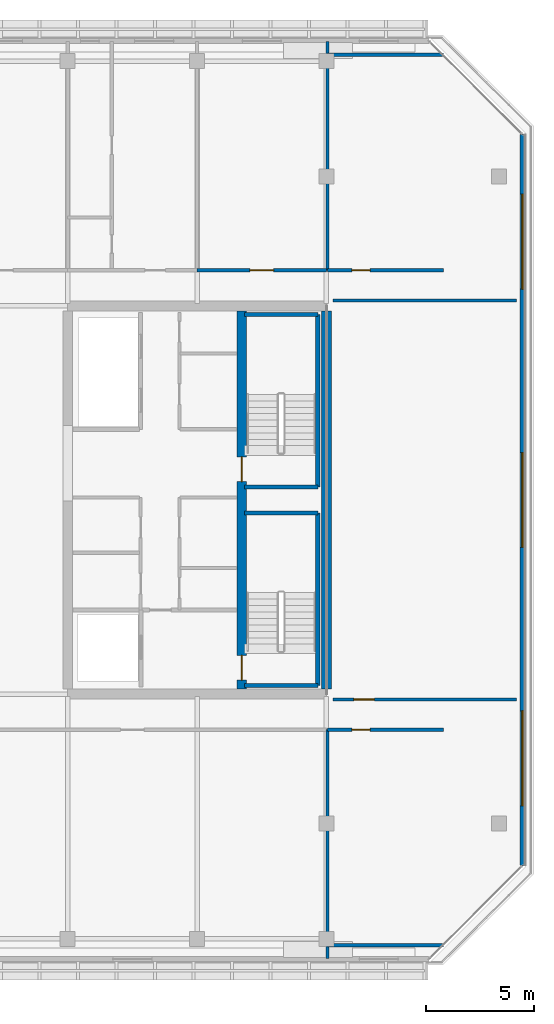
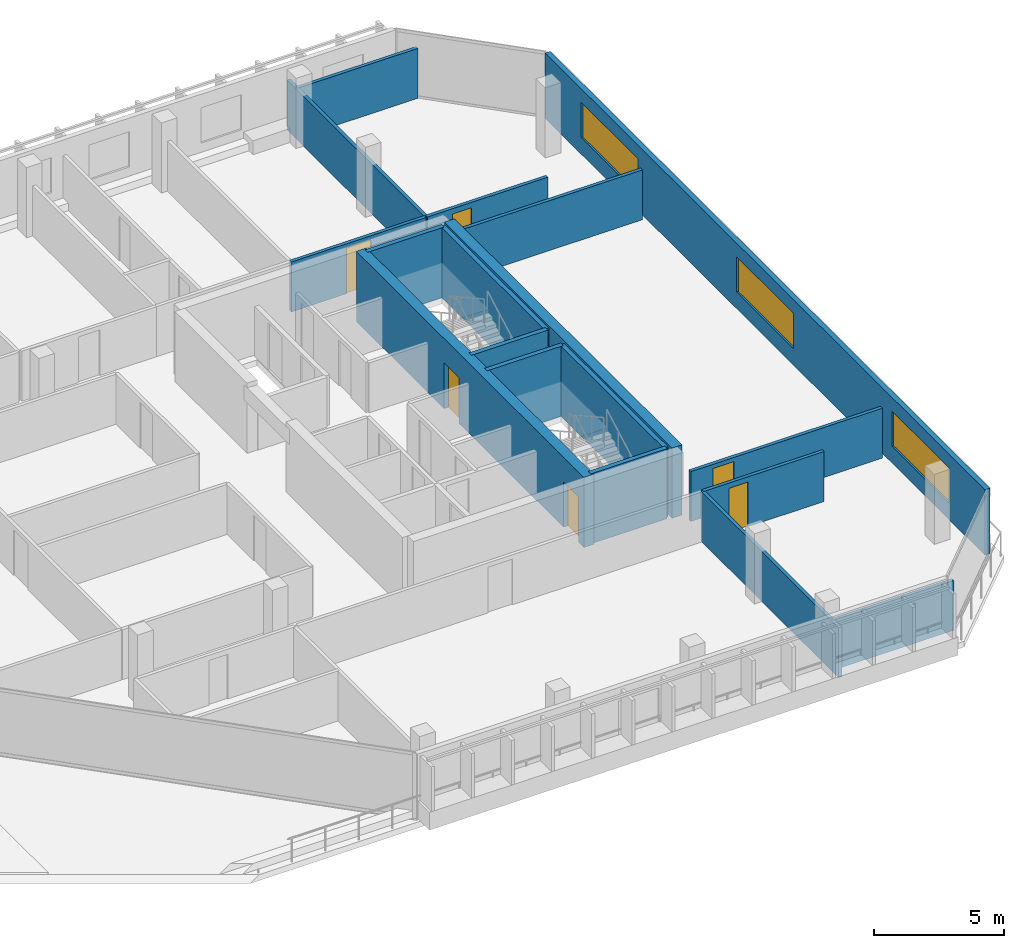
# One storey, part 24 of 30: 18 walls, 6 doors, 3 windows, 9 openings.
"""IFC4 building model written with IfcOpenShell, lengths in metres."""

from ifc_helpers import new_model, si_unit, direction, frame, frame_2d, origin, place, context, subcontext, project, spatial, rectangle, extrude, material, layer, layer_set, type_object, element, fill, save


model = new_model("IFC4")

# Units and contexts
model_context = context("Model", 3, precision=1e-05, world=origin(), true_north=direction((0.0, 1.0)))
body_context = subcontext(model_context, "Body", "Model", "MODEL_VIEW")
ifc_project = project(units=[si_unit("LENGTHUNIT", "METRE"), si_unit("AREAUNIT", "SQUARE_METRE"), si_unit("VOLUMEUNIT", "CUBIC_METRE"), si_unit("PLANEANGLEUNIT", "RADIAN"), si_unit("MASSUNIT", "GRAM", prefix="KILO")], contexts=[model_context])

# Site, building, storey
site_placement = place(None, origin())
site = spatial("IfcSite", under=ifc_project, at=site_placement, CompositionType="ELEMENT")
building_placement = place(site_placement, origin())
building = spatial("IfcBuilding", under=site, at=building_placement, Name="Tanjung Sevakor Pilgrim Tower", CompositionType="ELEMENT")
storey_placement = place(building_placement, frame((0.0, 0.0, 229.35009765625)))
storey = spatial("IfcBuildingStorey", under=building, at=storey_placement, Name="L64", CompositionType="ELEMENT", Elevation=229.35009765625)

# Wall
ifc_material_1 = material(Name="Concrete C60/75", Category="concrete")
ifc_layer_1 = layer(ifc_material_1, 0.449951171875)
ifc_layer_set_1 = layer_set([ifc_layer_1], Name="WALL-CW-450")
wall_type_1 = type_object("IfcWallType", Name="WALL-CW-450", PredefinedType="SHEAR", material=ifc_layer_set_1)
wall_1_placement = place(storey_placement, frame((90.0, 24.824951171875, 0.0), z_axis=(0.0, 0.0, 1.0), x_axis=(0.0, 1.0, 0.0)))
element("IfcWall", 1, at=wall_1_placement, inside=storey, type_object=wall_type_1, Name="L64 E Core Outer Shear Wall", PredefinedType="SHEAR", context=body_context, shape_type="SweptSolid", body=[
    extrude(rectangle(XDim=17.550048828125, YDim=0.449951171875, at=frame_2d((8.77490234375, 0.0))), origin(), (0.0, 0.0, 1.0), 3.2998046875),
])

# Wall, openings, doors
wall_2_placement = place(storey_placement, frame((86.074951171875, 24.824951171875, 0.0), z_axis=(0.0, 0.0, 1.0), x_axis=(0.0, 1.0, 0.0)))
wall_2 = element("IfcWall", 2, at=wall_2_placement, inside=storey, type_object=wall_type_1, Name="L64 E Core Stair Spine Wall", PredefinedType="SHEAR", context=body_context, shape_type="SweptSolid", body=[
    extrude(rectangle(XDim=17.550048828125, YDim=0.449951171875, at=frame_2d((8.77490234375, 0.0))), origin(), (0.0, 0.0, 1.0), 3.2998046875),
])
opening_1_placement = place(wall_2_placement, frame((0.425048828125, 0.0, 0.0)))
opening_1 = element("IfcOpeningElement", 3, at=opening_1_placement, cuts=wall_2, Name="Opening ID-ST1", PredefinedType="OPENING", context=body_context, shape_type="SweptSolid", body=[
    extrude(rectangle(XDim=1.14990234375, YDim=2.14990234375, at=frame_2d((0.574951171875, 1.074951171875))), frame((0.0, 0.23486328125, 0.0), z_axis=(0.0, -1.0, 0.0), x_axis=(1.0, 0.0, 0.0)), (0.0, 0.0, 1.0), 0.469970703125),
])
opening_2_placement = place(wall_2_placement, frame((9.625, 0.0, 0.0)))
opening_2 = element("IfcOpeningElement", 4, at=opening_2_placement, cuts=wall_2, Name="Opening ID-ST1", PredefinedType="OPENING", context=body_context, shape_type="SweptSolid", body=[
    extrude(rectangle(XDim=1.14990234375, YDim=2.14990234375, at=frame_2d((0.574951171875, 1.074951171875))), frame((0.0, 0.23486328125, 0.0), z_axis=(0.0, -1.0, 0.0), x_axis=(1.0, 0.0, 0.0)), (0.0, 0.0, 1.0), 0.469970703125),
])
ifc_material_2 = material(Name="Fire-Rated Steel S355J2", Category="steel")
door_type_1 = type_object("IfcDoorType", Name="DT-FIRE-1150", OperationType="NOTDEFINED", PredefinedType="DOOR", material=ifc_material_2)
door_1_placement = place(opening_1_placement, origin())
door_1 = element("IfcDoor", 5, at=door_1_placement, inside=storey, type_object=door_type_1, Name="L64 TS-E1 Stair Fire Door", OperationType="SINGLE_SWING_LEFT", OverallHeight=2.14990234375, OverallWidth=1.14990234375, PredefinedType="DOOR", context=body_context, shape_type="SweptSolid", body=[
    extrude(rectangle(XDim=1.14990234375, YDim=2.14990234375, at=frame_2d((0.574951171875, 1.074951171875))), frame((0.0, 0.02490234375, 0.0), z_axis=(0.0, -1.0, 0.0), x_axis=(1.0, 0.0, 0.0)), (0.0, 0.0, 1.0), 0.050048828125),
])
fill(opening_1, door_1)
door_2_placement = place(opening_2_placement, origin())
door_2 = element("IfcDoor", 6, at=door_2_placement, inside=storey, type_object=door_type_1, Name="L64 TS-E2 Stair Fire Door", OperationType="SINGLE_SWING_RIGHT", OverallHeight=2.14990234375, OverallWidth=1.14990234375, PredefinedType="DOOR", context=body_context, shape_type="SweptSolid", body=[
    extrude(rectangle(XDim=1.14990234375, YDim=2.14990234375, at=frame_2d((0.574951171875, 1.074951171875))), frame((0.0, 0.02490234375, 0.0), z_axis=(0.0, -1.0, 0.0), x_axis=(1.0, 0.0, 0.0)), (0.0, 0.0, 1.0), 0.050048828125),
])
fill(opening_2, door_2)

# Wall, opening, door
ifc_material_3 = material(Name="Concrete C40/50", Category="concrete")
ifc_layer_2 = layer(ifc_material_3, 0.14990234375)
ifc_layer_set_2 = layer_set([ifc_layer_2], Name="WT-COMP-150")
wall_type_2 = type_object("IfcWallType", Name="WT-COMP-150", PredefinedType="SOLIDWALL", material=ifc_layer_set_2)
wall_3_placement = place(storey_placement, frame((90.300048828125, 24.35009765625, 0.0), z_axis=(0.0, 0.0, 1.0), x_axis=(1.0, 0.0, 0.0)))
wall_3 = element("IfcWall", 7, at=wall_3_placement, inside=storey, type_object=wall_type_2, Name="L64 Partition IW-L64-043", PredefinedType="SOLIDWALL", context=body_context, shape_type="SweptSolid", body=[
    extrude(rectangle(XDim=8.52001953125, YDim=0.14990234375, at=frame_2d((4.260009765625, 0.0))), origin(), (0.0, 0.0, 1.0), 2.35009765625),
])
opening_3_placement = place(wall_3_placement, frame((0.97509765625, 0.0, 0.0)))
opening_3 = element("IfcOpeningElement", 8, at=opening_3_placement, cuts=wall_3, Name="Opening ID-RM1", PredefinedType="OPENING", context=body_context, shape_type="SweptSolid", body=[
    extrude(rectangle(XDim=0.949951171875, YDim=2.14990234375, at=frame_2d((0.47509765625, 1.074951171875))), frame((0.0, 0.0849609375, 0.0), z_axis=(0.0, -1.0, 0.0), x_axis=(1.0, 0.0, 0.0)), (0.0, 0.0, 1.0), 0.169921875),
])
ifc_material_4 = material(Name="Hardwood Timber", Category="wood")
door_type_2 = type_object("IfcDoorType", Name="DT-INT-950", OperationType="NOTDEFINED", PredefinedType="DOOR", material=ifc_material_4)
door_3_placement = place(opening_3_placement, origin())
door_3 = element("IfcDoor", 9, at=door_3_placement, inside=storey, type_object=door_type_2, Name="L64 East Crown Sanctuary Door", OperationType="SINGLE_SWING_LEFT", OverallHeight=2.14990234375, OverallWidth=0.949951171875, PredefinedType="DOOR", context=body_context, shape_type="SweptSolid", body=[
    extrude(rectangle(XDim=0.949951171875, YDim=2.14990234375, at=frame_2d((0.47509765625, 1.074951171875))), frame((0.0, 0.02490234375, 0.0), z_axis=(0.0, -1.0, 0.0), x_axis=(1.0, 0.0, 0.0)), (0.0, 0.0, 1.0), 0.050048828125),
])
fill(opening_3, door_3)

# Walls
wall_4_placement = place(storey_placement, frame((90.300048828125, 42.85009765625, 0.0), z_axis=(0.0, 0.0, 1.0), x_axis=(1.0, 0.0, 0.0)))
element("IfcWall", 10, at=wall_4_placement, inside=storey, type_object=wall_type_2, Name="L64 Partition IW-L64-044", PredefinedType="SOLIDWALL", context=body_context, shape_type="SweptSolid", body=[
    extrude(rectangle(XDim=8.52001953125, YDim=0.14990234375, at=frame_2d((4.260009765625, 0.0))), origin(), (0.0, 0.0, 1.0), 2.35009765625),
])
wall_5_placement = place(storey_placement, frame((90.050048828125, 12.949951171875, 0.0), z_axis=(0.0, 0.0, 1.0), x_axis=(1.0, 0.0, 0.0)))
element("IfcWall", 11, at=wall_5_placement, inside=storey, type_object=wall_type_2, Name="L64 Partition IW-L64-045", PredefinedType="SOLIDWALL", context=body_context, shape_type="SweptSolid", body=[
    extrude(rectangle(XDim=5.369873046875, YDim=0.14990234375, at=frame_2d((2.68505859375, 0.0))), origin(), (0.0, 0.0, 1.0), 2.35009765625),
])

# Wall, opening, door
wall_6_placement = place(storey_placement, frame((90.050048828125, 22.949951171875, 0.0), z_axis=(0.0, 0.0, 1.0), x_axis=(1.0, 0.0, 0.0)))
wall_6 = element("IfcWall", 12, at=wall_6_placement, inside=storey, type_object=wall_type_2, Name="L64 Partition IW-L64-046", PredefinedType="SOLIDWALL", context=body_context, shape_type="SweptSolid", body=[
    extrude(rectangle(XDim=5.369873046875, YDim=0.14990234375, at=frame_2d((2.68505859375, 0.0))), origin(), (0.0, 0.0, 1.0), 2.35009765625),
])
opening_4_placement = place(wall_6_placement, frame((1.125, 0.0, 0.0)))
opening_4 = element("IfcOpeningElement", 13, at=opening_4_placement, cuts=wall_6, Name="Opening ID-WC1", PredefinedType="OPENING", context=body_context, shape_type="SweptSolid", body=[
    extrude(rectangle(XDim=0.85009765625, YDim=2.10009765625, at=frame_2d((0.425048828125, 1.050048828125))), frame((0.0, 0.0849609375, 0.0), z_axis=(0.0, -1.0, 0.0), x_axis=(1.0, 0.0, 0.0)), (0.0, 0.0, 1.0), 0.169921875),
])
ifc_material_5 = material(Name="Moisture-Resistant Timber", Category="wood")
door_type_3 = type_object("IfcDoorType", Name="DT-INT-850", OperationType="NOTDEFINED", PredefinedType="DOOR", material=ifc_material_5)
door_4_placement = place(opening_4_placement, origin())
door_4 = element("IfcDoor", 14, at=door_4_placement, inside=storey, type_object=door_type_3, Name="L64 SE Crown Study Door", OperationType="SINGLE_SWING_RIGHT", OverallHeight=2.10009765625, OverallWidth=0.85009765625, PredefinedType="DOOR", context=body_context, shape_type="SweptSolid", body=[
    extrude(rectangle(XDim=0.85009765625, YDim=2.10009765625, at=frame_2d((0.425048828125, 1.050048828125))), frame((0.0, 0.02490234375, 0.0), z_axis=(0.0, -1.0, 0.0), x_axis=(1.0, 0.0, 0.0)), (0.0, 0.0, 1.0), 0.050048828125),
])
fill(opening_4, door_4)

# Wall
wall_7_placement = place(storey_placement, frame((90.050048828125, 12.340087890625, 0.0), z_axis=(0.0, 0.0, 1.0), x_axis=(0.0, 1.0, 0.0)))
element("IfcWall", 15, at=wall_7_placement, inside=storey, type_object=wall_type_2, Name="L64 Partition IW-L64-047", PredefinedType="SOLIDWALL", context=body_context, shape_type="SweptSolid", body=[
    extrude(rectangle(XDim=10.60986328125, YDim=0.14990234375, at=frame_2d((5.304931640625, 0.0))), origin(), (0.0, 0.0, 1.0), 2.35009765625),
])

# Wall, opening, door
wall_8_placement = place(storey_placement, frame((90.050048828125, 44.25, 0.0), z_axis=(0.0, 0.0, 1.0), x_axis=(1.0, 0.0, 0.0)))
wall_8 = element("IfcWall", 16, at=wall_8_placement, inside=storey, type_object=wall_type_2, Name="L64 Partition IW-L64-048", PredefinedType="SOLIDWALL", context=body_context, shape_type="SweptSolid", body=[
    extrude(rectangle(XDim=5.369873046875, YDim=0.14990234375, at=frame_2d((2.68505859375, 0.0))), origin(), (0.0, 0.0, 1.0), 2.35009765625),
])
opening_5_placement = place(wall_8_placement, frame((1.125, 0.0, 0.0)))
opening_5 = element("IfcOpeningElement", 17, at=opening_5_placement, cuts=wall_8, Name="Opening ID-WC1", PredefinedType="OPENING", context=body_context, shape_type="SweptSolid", body=[
    extrude(rectangle(XDim=0.85009765625, YDim=2.10009765625, at=frame_2d((0.425048828125, 1.050048828125))), frame((0.0, 0.0849609375, 0.0), z_axis=(0.0, -1.0, 0.0), x_axis=(1.0, 0.0, 0.0)), (0.0, 0.0, 1.0), 0.169921875),
])
door_5_placement = place(opening_5_placement, origin())
door_5 = element("IfcDoor", 18, at=door_5_placement, inside=storey, type_object=door_type_3, Name="L64 NE Crown Lounge Door", OperationType="SINGLE_SWING_LEFT", OverallHeight=2.10009765625, OverallWidth=0.85009765625, PredefinedType="DOOR", context=body_context, shape_type="SweptSolid", body=[
    extrude(rectangle(XDim=0.85009765625, YDim=2.10009765625, at=frame_2d((0.425048828125, 1.050048828125))), frame((0.0, 0.02490234375, 0.0), z_axis=(0.0, -1.0, 0.0), x_axis=(1.0, 0.0, 0.0)), (0.0, 0.0, 1.0), 0.050048828125),
])
fill(opening_5, door_5)

# Walls
wall_9_placement = place(storey_placement, frame((90.050048828125, 54.25, 0.0), z_axis=(0.0, 0.0, 1.0), x_axis=(1.0, 0.0, 0.0)))
element("IfcWall", 19, at=wall_9_placement, inside=storey, type_object=wall_type_2, Name="L64 Partition IW-L64-049", PredefinedType="SOLIDWALL", context=body_context, shape_type="SweptSolid", body=[
    extrude(rectangle(XDim=5.369873046875, YDim=0.14990234375, at=frame_2d((2.68505859375, 0.0))), origin(), (0.0, 0.0, 1.0), 2.35009765625),
])
wall_10_placement = place(storey_placement, frame((90.050048828125, 44.25, 0.0), z_axis=(0.0, 0.0, 1.0), x_axis=(0.0, 1.0, 0.0)))
element("IfcWall", 20, at=wall_10_placement, inside=storey, type_object=wall_type_2, Name="L64 Partition IW-L64-050", PredefinedType="SOLIDWALL", context=body_context, shape_type="SweptSolid", body=[
    extrude(rectangle(XDim=10.610107421875, YDim=0.14990234375, at=frame_2d((5.30517578125, 0.0))), origin(), (0.0, 0.0, 1.0), 2.35009765625),
])

# Wall, opening, door
wall_11_placement = place(storey_placement, frame((84.0, 44.25, 0.0), z_axis=(0.0, 0.0, 1.0), x_axis=(1.0, 0.0, 0.0)))
wall_11 = element("IfcWall", 21, at=wall_11_placement, inside=storey, type_object=wall_type_2, Name="L64 Partition IW-L64-058", PredefinedType="SOLIDWALL", context=body_context, shape_type="SweptSolid", body=[
    extrude(rectangle(XDim=6.0, YDim=0.14990234375, at=frame_2d((3.0, 0.0))), origin(), (0.0, 0.0, 1.0), 2.35009765625),
])
opening_6_placement = place(wall_11_placement, frame((2.449951171875, 0.0, 0.0)))
opening_6 = element("IfcOpeningElement", 22, at=opening_6_placement, cuts=wall_11, Name="Opening ID-FD0", PredefinedType="OPENING", context=body_context, shape_type="SweptSolid", body=[
    extrude(rectangle(XDim=1.10009765625, YDim=2.14990234375, at=frame_2d((0.550048828125, 1.074951171875))), frame((0.0, 0.0849609375, 0.0), z_axis=(0.0, -1.0, 0.0), x_axis=(1.0, 0.0, 0.0)), (0.0, 0.0, 1.0), 0.169921875),
])
ifc_material_6 = material(Name="Fire-Rated Steel S355J2", Category="steel")
door_type_4 = type_object("IfcDoorType", Name="DT-FIRE-1100", OperationType="NOTDEFINED", PredefinedType="DOOR", material=ifc_material_6)
door_6_placement = place(opening_6_placement, origin())
door_6 = element("IfcDoor", 23, at=door_6_placement, inside=storey, type_object=door_type_4, Name="Communal Lounge Door", OperationType="SINGLE_SWING_LEFT", OverallHeight=2.14990234375, OverallWidth=1.10009765625, PredefinedType="DOOR", context=body_context, shape_type="SweptSolid", body=[
    extrude(rectangle(XDim=1.10009765625, YDim=2.14990234375, at=frame_2d((0.550048828125, 1.074951171875))), frame((0.0, 0.02490234375, 0.0), z_axis=(0.0, -1.0, 0.0), x_axis=(1.0, 0.0, 0.0)), (0.0, 0.0, 1.0), 0.050048828125),
])
fill(opening_6, door_6)

# Wall, openings, windows
ifc_material_7 = material(Name="Precast concrete C45/55", Category="concrete")
ifc_layer_3 = layer(ifc_material_7, 0.219970703125)
ifc_layer_set_3 = layer_set([ifc_layer_3], Name="WT-EW-STN4")
wall_type_3 = type_object("IfcWallType", Name="WT-EW-STN4", PredefinedType="SOLIDWALL", material=ifc_layer_set_3)
wall_12_placement = place(storey_placement, frame((99.090087890625, 16.6455078125, 0.0), z_axis=(0.0, 0.0, 1.0), x_axis=(0.0, 1.0, 0.0)))
wall_12 = element("IfcWall", 24, at=wall_12_placement, inside=storey, type_object=wall_type_3, Name="L64 EAST Exterior Wall 3", PredefinedType="SOLIDWALL", context=body_context, shape_type="SweptSolid", body=[
    extrude(rectangle(XDim=33.908935546875, YDim=0.219970703125, at=frame_2d((16.95458984375, 0.0))), origin(), (0.0, 0.0, 1.0), 3.080078125),
])
opening_7_placement = place(wall_12_placement, frame((14.75439453125, 0.0, 0.780029296875)))
opening_7 = element("IfcOpeningElement", 25, at=opening_7_placement, cuts=wall_12, Name="Opening WN-ENDW-1660", PredefinedType="OPENING", context=body_context, shape_type="SweptSolid", body=[
    extrude(rectangle(XDim=4.39990234375, YDim=1.659912109375, at=frame_2d((2.199951171875, 0.830078125))), frame((0.0, 0.119873046875, 0.0), z_axis=(0.0, -1.0, 0.0), x_axis=(1.0, 0.0, 0.0)), (0.0, 0.0, 1.0), 0.239990234375),
])
opening_8_placement = place(wall_12_placement, frame((2.772216796875, 0.0, 0.780029296875)))
opening_8 = element("IfcOpeningElement", 26, at=opening_8_placement, cuts=wall_12, Name="Opening WN-ENDW-1660", PredefinedType="OPENING", context=body_context, shape_type="SweptSolid", body=[
    extrude(rectangle(XDim=4.39990234375, YDim=1.659912109375, at=frame_2d((2.199951171875, 0.830078125))), frame((0.0, 0.119873046875, 0.0), z_axis=(0.0, -1.0, 0.0), x_axis=(1.0, 0.0, 0.0)), (0.0, 0.0, 1.0), 0.239990234375),
])
opening_9_placement = place(wall_12_placement, frame((26.736572265625, 0.0, 0.780029296875)))
opening_9 = element("IfcOpeningElement", 27, at=opening_9_placement, cuts=wall_12, Name="Opening WN-ENDW-1660", PredefinedType="OPENING", context=body_context, shape_type="SweptSolid", body=[
    extrude(rectangle(XDim=4.39990234375, YDim=1.659912109375, at=frame_2d((2.199951171875, 0.830078125))), frame((0.0, 0.119873046875, 0.0), z_axis=(0.0, -1.0, 0.0), x_axis=(1.0, 0.0, 0.0)), (0.0, 0.0, 1.0), 0.239990234375),
])
ifc_material_8 = material(Name="Thermally Broken Aluminium and Low-E Glass", Category="aluminium")
window_type = type_object("IfcWindowType", Name="WTYP-WN-ENDW-1660", PartitioningType="DOUBLE_PANEL_VERTICAL", PredefinedType="WINDOW", material=ifc_material_8)
window_1_placement = place(opening_7_placement, origin())
window_1 = element("IfcWindow", 28, at=window_1_placement, inside=storey, type_object=window_type, Name="L64 Facade Window 01", OverallHeight=1.659912109375, OverallWidth=4.39990234375, PartitioningType="SINGLE_PANEL", PredefinedType="WINDOW", context=body_context, shape_type="SweptSolid", body=[
    extrude(rectangle(XDim=4.39990234375, YDim=1.659912109375, at=frame_2d((2.199951171875, 0.830078125))), frame((0.0, 0.030029296875, 0.0), z_axis=(0.0, -1.0, 0.0), x_axis=(1.0, 0.0, 0.0)), (0.0, 0.0, 1.0), 0.06005859375),
])
fill(opening_7, window_1)
window_2_placement = place(opening_8_placement, origin())
window_2 = element("IfcWindow", 29, at=window_2_placement, inside=storey, type_object=window_type, Name="L64 Facade Window 02", OverallHeight=1.659912109375, OverallWidth=4.39990234375, PartitioningType="SINGLE_PANEL", PredefinedType="WINDOW", context=body_context, shape_type="SweptSolid", body=[
    extrude(rectangle(XDim=4.39990234375, YDim=1.659912109375, at=frame_2d((2.199951171875, 0.830078125))), frame((0.0, 0.030029296875, 0.0), z_axis=(0.0, -1.0, 0.0), x_axis=(1.0, 0.0, 0.0)), (0.0, 0.0, 1.0), 0.06005859375),
])
fill(opening_8, window_2)
window_3_placement = place(opening_9_placement, origin())
window_3 = element("IfcWindow", 30, at=window_3_placement, inside=storey, type_object=window_type, Name="L64 Facade Window 03", OverallHeight=1.659912109375, OverallWidth=4.39990234375, PartitioningType="SINGLE_PANEL", PredefinedType="WINDOW", context=body_context, shape_type="SweptSolid", body=[
    extrude(rectangle(XDim=4.39990234375, YDim=1.659912109375, at=frame_2d((2.199951171875, 0.830078125))), frame((0.0, 0.030029296875, 0.0), z_axis=(0.0, -1.0, 0.0), x_axis=(1.0, 0.0, 0.0)), (0.0, 0.0, 1.0), 0.06005859375),
])
fill(opening_9, window_3)

# Walls
ifc_material_9 = material(Name="Concrete C40/50", Category="concrete")
ifc_layer_4 = layer(ifc_material_9, 0.199951171875)
ifc_layer_set_4 = layer_set([ifc_layer_4], Name="WT-FIRE-200")
wall_type_4 = type_object("IfcWallType", Name="WT-FIRE-200", PredefinedType="SOLIDWALL", material=ifc_layer_set_4)
wall_13_placement = place(storey_placement, frame((86.199951171875, 25.0, 0.0), z_axis=(0.0, 0.0, 1.0), x_axis=(1.0, 0.0, 0.0)))
element("IfcWall", 31, at=wall_13_placement, inside=storey, type_object=wall_type_4, Name="L64 TS-E1 Shaft Wall 1", PredefinedType="SOLIDWALL", context=body_context, shape_type="SweptSolid", body=[
    extrude(rectangle(XDim=3.400146484375, YDim=0.199951171875, at=frame_2d((1.7001953125, 0.0))), origin(), (0.0, 0.0, 1.0), 3.2998046875),
])
wall_14_placement = place(storey_placement, frame((89.60009765625, 25.0, 0.0), z_axis=(0.0, 0.0, 1.0), x_axis=(0.0, 1.0, 0.0)))
element("IfcWall", 32, at=wall_14_placement, inside=storey, type_object=wall_type_4, Name="L64 TS-E1 Shaft Wall 2", PredefinedType="SOLIDWALL", context=body_context, shape_type="SweptSolid", body=[
    extrude(rectangle(XDim=8.0, YDim=0.199951171875, at=frame_2d((4.0, 0.0))), origin(), (0.0, 0.0, 1.0), 3.2998046875),
])
for number, where, z_axis, x_axis, name in (
    (33, (89.60009765625, 33.0, 0.0), (0.0, 0.0, 1.0), (-1.0, 0.0, 0.0), "L64 TS-E1 Shaft Wall 3"),
    (34, (86.199951171875, 34.199951171875, 0.0), (0.0, 0.0, 1.0), (1.0, 0.0, 0.0), "L64 TS-E2 Shaft Wall 1"),
):
    element("IfcWall", number, at=place(storey_placement, frame(where, z_axis=z_axis, x_axis=x_axis)), inside=storey, type_object=wall_type_4, Name=name, PredefinedType="SOLIDWALL", context=body_context, shape_type="SweptSolid", body=[
        extrude(rectangle(XDim=3.400146484375, YDim=0.199951171875, at=frame_2d((1.7001953125, 0.0))), origin(), (0.0, 0.0, 1.0), 3.2998046875),
    ])
wall_15_placement = place(storey_placement, frame((89.60009765625, 34.199951171875, 0.0), z_axis=(0.0, 0.0, 1.0), x_axis=(0.0, 1.0, 0.0)))
element("IfcWall", 35, at=wall_15_placement, inside=storey, type_object=wall_type_4, Name="L64 TS-E2 Shaft Wall 2", PredefinedType="SOLIDWALL", context=body_context, shape_type="SweptSolid", body=[
    extrude(rectangle(XDim=8.0, YDim=0.199951171875, at=frame_2d((4.0, 0.0))), origin(), (0.0, 0.0, 1.0), 3.2998046875),
])
wall_16_placement = place(storey_placement, frame((89.60009765625, 42.199951171875, 0.0), z_axis=(0.0, 0.0, 1.0), x_axis=(-1.0, 0.0, 0.0)))
element("IfcWall", 36, at=wall_16_placement, inside=storey, type_object=wall_type_4, Name="L64 TS-E2 Shaft Wall 3", PredefinedType="SOLIDWALL", context=body_context, shape_type="SweptSolid", body=[
    extrude(rectangle(XDim=3.400146484375, YDim=0.199951171875, at=frame_2d((1.7001953125, 0.0))), origin(), (0.0, 0.0, 1.0), 3.2998046875),
])

save(model, "model.ifc")
